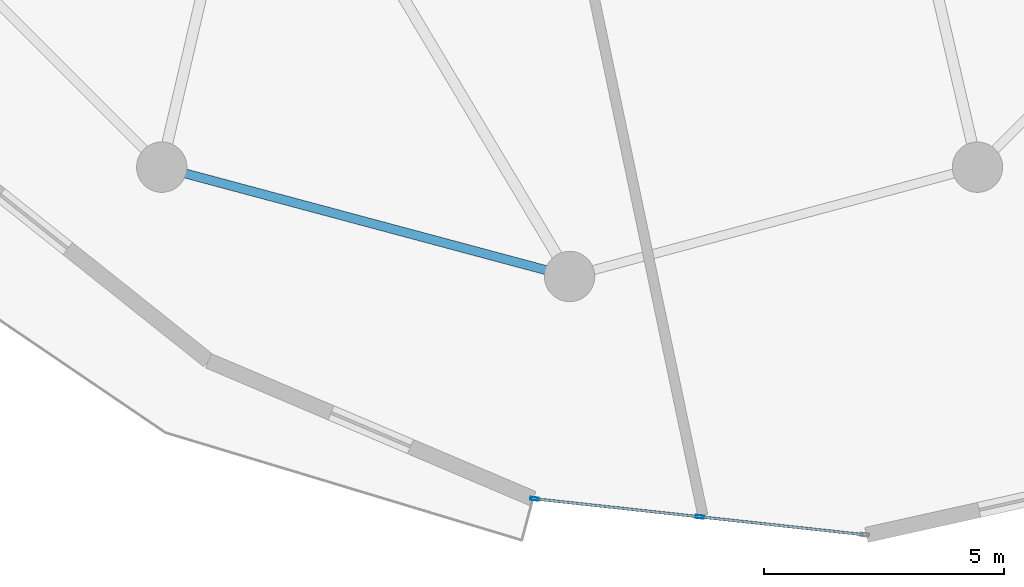
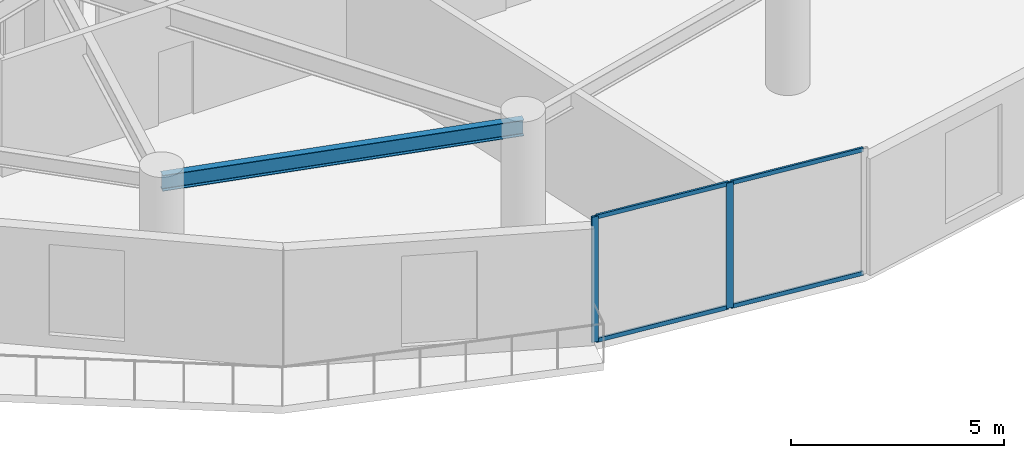
# One storey, part 2 of 22: 6 members, 1 beam, 1 element without a shape of its own.
"""IFC4 building model written with IfcOpenShell, lengths in metres."""

from ifc_helpers import new_model, si_unit, direction, frame, origin, origin_2d, place, context, subcontext, project, spatial, hollow_rectangle, i_section, extrude, source, transform, mapped, material, layer, layer_set, material_profile, profile_set, type_object, element, aggregate, save


model = new_model("IFC4")

# Units and contexts
model_context = context("Model", 3, precision=1e-05, world=origin(), true_north=direction((0.0, 1.0)))
body_context = subcontext(model_context, "Body", "Model", "MODEL_VIEW")
ifc_project = project(units=[si_unit("LENGTHUNIT", "METRE"), si_unit("AREAUNIT", "SQUARE_METRE"), si_unit("VOLUMEUNIT", "CUBIC_METRE"), si_unit("PLANEANGLEUNIT", "RADIAN"), si_unit("MASSUNIT", "GRAM", prefix="KILO")], contexts=[model_context])

# Site, building, storey
site_placement = place(None, origin())
site = spatial("IfcSite", under=ifc_project, at=site_placement, CompositionType="ELEMENT")
building_placement = place(site_placement, origin())
building = spatial("IfcBuilding", under=site, at=building_placement, Name="Solvirekh Grand Hotel", CompositionType="ELEMENT")
storey_placement = place(building_placement, frame((0.0, 0.0, 149.39990234375)))
storey = spatial("IfcBuildingStorey", under=building, at=storey_placement, Name="L38", CompositionType="ELEMENT", Elevation=149.39990234375)

# Beam
ifc_material_1 = material(Name="Steel S355", Category="steel")
ifc_material_profile_1 = material_profile(ifc_material_1, i_section(OverallWidth=0.18994140625, OverallDepth=0.45703125, WebThickness=0.009033203125, FlangeThickness=0.013916015625, FilletRadius=0.012939453125, at=origin_2d()), Name="W460X74")
ifc_profile_set_1 = profile_set([ifc_material_profile_1], Name="Steel S355")
beam_type = type_object("IfcBeamType", Name="Spandrel_Ring_W460", PredefinedType="SPANDREL", material=ifc_profile_set_1)
beam_placement = place(storey_placement, frame((-8.5, -14.721923828125, 3.1220703125), z_axis=(0.965911391906, -0.258872908946, 0.0), x_axis=(0.258872908946, 0.965911391906, 0.0)))
element("IfcBeam", 1, at=beam_placement, inside=storey, type_object=beam_type, Name="L38 perimeter spandrel beam 9", PredefinedType="SPANDREL", context=body_context, shape_type="SweptSolid", body=[
    extrude(i_section(OverallWidth=0.18994140625, OverallDepth=0.45703125, WebThickness=0.009033203125, FlangeThickness=0.013916015625, FilletRadius=0.012939453125, at=origin_2d()), origin(), (0.0, 0.0, 1.0), 8.800048828125),
])

# Curtain wall, members
ifc_material_2 = material(Name="Anodized Bronze Aluminium 6063-T6", Category="aluminium")
ifc_layer = layer(ifc_material_2, 0.175048828125)
ifc_layer_set = layer_set([ifc_layer], Name="Anodized Bronze Aluminium 6063-T6")
curtain_wall_type = type_object("IfcCurtainWallType", Name="CW_Sys3_MidZoneFlushBronzeCW", PredefinedType="NOTDEFINED", material=ifc_layer_set)
curtain_wall_placement = place(storey_placement, origin())
curtain_wall = element("IfcCurtainWall", 2, at=curtain_wall_placement, inside=storey, type_object=curtain_wall_type, Name="L38 unitised bronze-glass curtain wall CW-L38-C18", PredefinedType="NOTDEFINED")
ifc_material_profile_2 = material_profile(ifc_material_2, hollow_rectangle(XDim=0.054931640625, YDim=0.1201171875, WallThickness=0.00390625, at=origin_2d()), Name="ALU RHS 120X55X4")
ifc_profile_set_2 = profile_set([ifc_material_profile_2], Name="Anodized Bronze Aluminium 6063-T6")
member_type_1 = type_object("IfcMemberType", Name="CWTransom_Sys3", PredefinedType="USERDEFINED", material=ifc_profile_set_2)
shared_shape_1 = source(origin(), body_context, "Body", "SweptSolid", [
    extrude(hollow_rectangle(XDim=0.054931640625, YDim=0.1201171875, WallThickness=0.00390625, at=origin_2d()), origin(), (0.0, 0.0, 1.0), 3.397216796875),
])
member_1_placement = place(storey_placement, frame((-0.698486328125, -21.637939453125, 0.027587890625), z_axis=(0.99411808388, -0.108301594188, 0.0), x_axis=(0.108301594188, 0.99411808388, 0.0)))
member_1 = element("IfcMember", 3, at=member_1_placement, type_object=member_type_1, Name="U03 transom 1.1", ObjectType="TRANSOM", PredefinedType="USERDEFINED", context=body_context, shape_type="MappedRepresentation", body=[
    mapped(shared_shape_1, transform((0.0, 0.0, 0.0), x_axis=(1.0, 0.0, 0.0), y_axis=(0.0, 1.0, 0.0), z_axis=(0.0, 0.0, 1.0), scale=1.0)),
])
member_2_placement = place(storey_placement, frame((-0.698486328125, -21.637939453125, 3.572509765625), z_axis=(0.99411808388, -0.108301594188, 0.0), x_axis=(0.108301594188, 0.99411808388, 0.0)))
member_2 = element("IfcMember", 4, at=member_2_placement, type_object=member_type_1, Name="U03 transom 1.2", ObjectType="TRANSOM", PredefinedType="USERDEFINED", context=body_context, shape_type="MappedRepresentation", body=[
    mapped(shared_shape_1, transform((0.0, 0.0, 0.0), x_axis=(1.0, 0.0, 0.0), y_axis=(0.0, 1.0, 0.0), z_axis=(0.0, 0.0, 1.0), scale=1.0)),
])
ifc_material_profile_3 = material_profile(ifc_material_2, hollow_rectangle(XDim=0.06494140625, YDim=0.175048828125, WallThickness=0.0048828125, at=origin_2d()), Name="ALU RHS 175X65X5")
ifc_profile_set_3 = profile_set([ifc_material_profile_3], Name="Anodized Bronze Aluminium 6063-T6")
member_type_2 = type_object("IfcMemberType", Name="CWMullion_Sys3", PredefinedType="MULLION", material=ifc_profile_set_3)
shared_shape_2 = source(origin(), body_context, "Body", "SweptSolid", [
    extrude(hollow_rectangle(XDim=0.06494140625, YDim=0.175048828125, WallThickness=0.0048828125, at=origin_2d()), origin(), (0.0, 0.0, 1.0), 3.60009765625),
])
member_3_placement = place(storey_placement, frame((-0.730712890625, -21.634521484375, 0.0), z_axis=(0.0, 0.0, 1.0), x_axis=(0.10831125401, 0.994117031468, 0.0)))
member_3 = element("IfcMember", 5, at=member_3_placement, type_object=member_type_2, Name="U03 mullion 1", PredefinedType="MULLION", context=body_context, shape_type="MappedRepresentation", body=[
    mapped(shared_shape_2, transform((0.0, 0.0, 0.0), x_axis=(1.0, 0.0, 0.0), y_axis=(0.0, 1.0, 0.0), z_axis=(0.0, 0.0, 1.0), scale=1.0)),
])
member_4_placement = place(storey_placement, frame((2.7109375, -22.009521484375, 0.0), z_axis=(0.0, 0.0, 1.0), x_axis=(0.10831125401, 0.994117031468, 0.0)))
member_4 = element("IfcMember", 6, at=member_4_placement, type_object=member_type_2, Name="U03 mullion 2", PredefinedType="MULLION", context=body_context, shape_type="MappedRepresentation", body=[
    mapped(shared_shape_2, transform((0.0, 0.0, 0.0), x_axis=(1.0, 0.0, 0.0), y_axis=(0.0, 1.0, 0.0), z_axis=(0.0, 0.0, 1.0), scale=1.0)),
])
shared_shape_3 = source(origin(), body_context, "Body", "SweptSolid", [
    extrude(hollow_rectangle(XDim=0.054931640625, YDim=0.1201171875, WallThickness=0.00390625, at=origin_2d()), origin(), (0.0, 0.0, 1.0), 3.39697265625),
])
member_5_placement = place(storey_placement, frame((2.743408203125, -22.012939453125, 0.027587890625), z_axis=(0.99411724086, -0.108309332127, 0.0), x_axis=(0.108309332127, 0.99411724086, 0.0)))
member_5 = element("IfcMember", 7, at=member_5_placement, type_object=member_type_1, Name="U03 transom 2.1", ObjectType="TRANSOM", PredefinedType="USERDEFINED", context=body_context, shape_type="MappedRepresentation", body=[
    mapped(shared_shape_3, transform((0.0, 0.0, 0.0), x_axis=(1.0, 0.0, 0.0), y_axis=(0.0, 1.0, 0.0), z_axis=(0.0, 0.0, 1.0), scale=1.0)),
])
member_6_placement = place(storey_placement, frame((2.743408203125, -22.012939453125, 3.572509765625), z_axis=(0.99411724086, -0.108309332127, 0.0), x_axis=(0.108309332127, 0.99411724086, 0.0)))
member_6 = element("IfcMember", 8, at=member_6_placement, type_object=member_type_1, Name="U03 transom 2.2", ObjectType="TRANSOM", PredefinedType="USERDEFINED", context=body_context, shape_type="MappedRepresentation", body=[
    mapped(shared_shape_3, transform((0.0, 0.0, 0.0), x_axis=(1.0, 0.0, 0.0), y_axis=(0.0, 1.0, 0.0), z_axis=(0.0, 0.0, 1.0), scale=1.0)),
])
aggregate(curtain_wall, [member_3, member_4, member_1, member_2, member_5, member_6])

save(model, "model.ifc")
